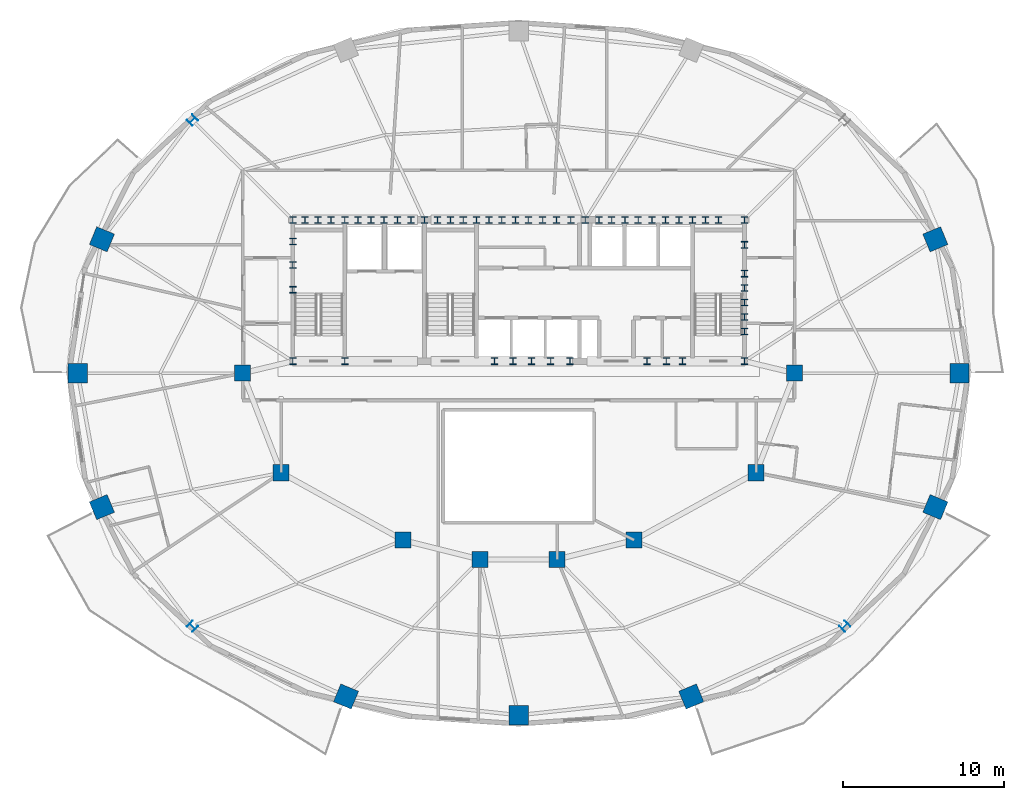
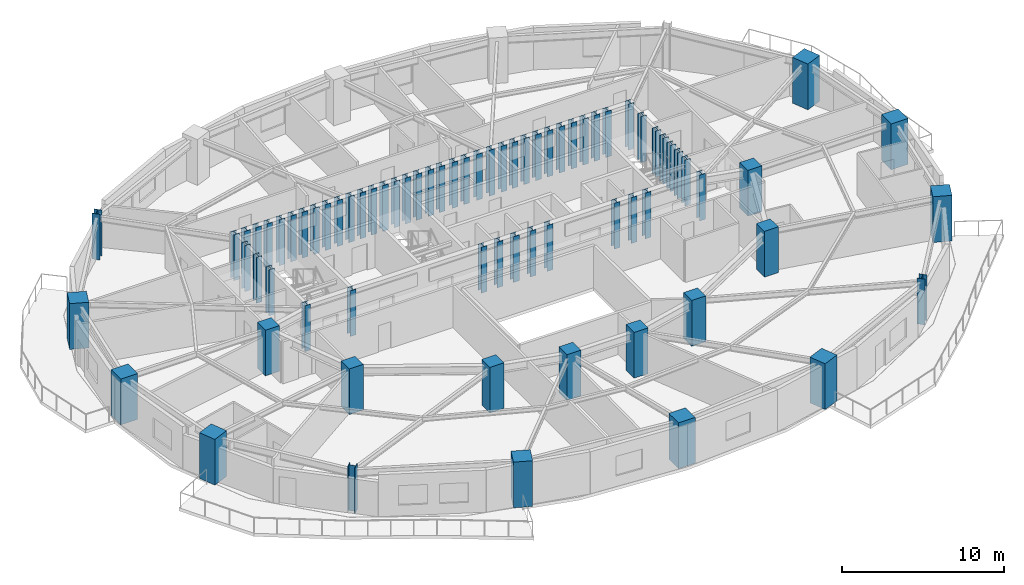
# One storey, part 1 of 10: 74 columns.
"""IFC4 building model written with IfcOpenShell, lengths in metres."""

from ifc_helpers import new_model, si_unit, direction, frame, origin, origin_2d, place, context, subcontext, project, spatial, rectangle, i_section, extrude, material, material_profile, profile_set, type_object, element, save


model = new_model("IFC4")

# Units and contexts
model_context = context("Model", 3, precision=1e-05, world=origin(), true_north=direction((0.0, 1.0)))
body_context = subcontext(model_context, "Body", "Model", "MODEL_VIEW")
ifc_project = project(units=[si_unit("LENGTHUNIT", "METRE"), si_unit("AREAUNIT", "SQUARE_METRE"), si_unit("VOLUMEUNIT", "CUBIC_METRE"), si_unit("PLANEANGLEUNIT", "RADIAN"), si_unit("MASSUNIT", "GRAM", prefix="KILO")], contexts=[model_context])

# Site, building, storey
site_placement = place(None, origin())
site = spatial("IfcSite", under=ifc_project, at=site_placement, CompositionType="ELEMENT")
building_placement = place(site_placement, origin())
building = spatial("IfcBuilding", under=site, at=building_placement, Name="Haldorwick Loom Tower", CompositionType="ELEMENT")
storey_placement = place(building_placement, frame((0.0, 0.0, 196.89990234375)))
storey = spatial("IfcBuildingStorey", under=building, at=storey_placement, Name="L53", CompositionType="ELEMENT", Elevation=196.89990234375)

# Columns
ifc_material_1 = material(Name="Concrete C60 (60 MPa)", Category="concrete")
ifc_material_profile_1 = material_profile(ifc_material_1, rectangle(XDim=1.0, YDim=1.0, at=origin_2d()), Name="RC1000X1000", Category="concrete")
ifc_profile_set_1 = profile_set([ifc_material_profile_1], Name="Concrete C60 (60 MPa)")
column_type_1 = type_object("IfcColumnType", Name="STR-COL-RC1000", PredefinedType="COLUMN", material=ifc_profile_set_1)
for number, where, z_axis, x_axis, name in (
    (1, (53.199951171875, 26.0, 0.0), (0.0, 0.0, 1.0), (1.0, 0.0, 0.0), "L53 Inner Column IC-01"),
    (2, (50.800048828125, 19.800048828125, 0.0), (0.0, 0.0, 1.0), (1.0, 0.0, 0.0), "L53 Inner Column IC-02"),
    (3, (43.199951171875, 15.60009765625, 0.0), (0.0, 0.0, 1.0), (1.0, 0.0, 0.0), "L53 Inner Column IC-03"),
    (4, (38.39990234375, 14.39990234375, 0.0), (0.0, 0.0, 1.0), (1.0, 0.0, 0.0), "L53 Inner Column IC-04"),
    (5, (33.60009765625, 14.39990234375, 0.0), (0.0, 0.0, 1.0), (1.0, 0.0, 0.0), "L53 Inner Column IC-05"),
    (6, (28.800048828125, 15.60009765625, 0.0), (0.0, 0.0, 1.0), (1.0, 0.0, 0.0), "L53 Inner Column IC-06"),
    (7, (21.199951171875, 19.800048828125, 0.0), (0.0, 0.0, 1.0), (1.0, 0.0, 0.0), "L53 Inner Column IC-07"),
    (8, (18.800048828125, 26.0, 0.0), (0.0, 0.0, 1.0), (1.0, 0.0, 0.0), "L53 Inner Column IC-08"),
):
    element("IfcColumn", number, at=place(storey_placement, frame(where, z_axis=z_axis, x_axis=x_axis)), inside=storey, type_object=column_type_1, Name=name, PredefinedType="COLUMN", context=body_context, shape_type="SweptSolid", body=[
        extrude(rectangle(XDim=1.0, YDim=1.0, at=origin_2d()), origin(), (0.0, 0.0, 1.0), 3.4501953125),
    ])
ifc_material_profile_2 = material_profile(ifc_material_1, rectangle(XDim=1.199951171875, YDim=1.199951171875, at=origin_2d()), Name="RC1200X1200", Category="concrete")
ifc_profile_set_2 = profile_set([ifc_material_profile_2], Name="Concrete C60 (60 MPa)")
column_type_2 = type_object("IfcColumnType", Name="STR-COL-RC1200", PredefinedType="COLUMN", material=ifc_profile_set_2)
for number, where, z_axis, x_axis, name in (
    (9, (63.46630859375, 26.0, 0.0), (0.0, 0.0, 1.0), (1.0, 0.0, 0.0), "L53 Perimeter Pier Column P01"),
    (10, (61.9609375, 34.342529296875, 0.0), (0.0, 0.0, 1.0), (0.923879532511, 0.382683432365, 0.0), "L53 Perimeter Pier Column P02"),
    (11, (10.0390625, 34.342529296875, 0.0), (0.0, 0.0, 1.0), (-0.923879532511, 0.382683432365, 0.0), "L53 Perimeter Pier Column P08"),
    (12, (8.53369140625, 26.0, 0.0), (0.0, 0.0, 1.0), (-1.0, 0.0, 0.0), "L53 Perimeter Pier Column P09"),
    (13, (10.0390625, 17.657470703125, 0.0), (0.0, 0.0, 1.0), (-0.923879532511, -0.382683432365, 0.0), "L53 Perimeter Pier Column P10"),
    (14, (25.24658203125, 5.859375, 0.0), (0.0, 0.0, 1.0), (-0.382683432365, -0.923879532511, 0.0), "L53 Perimeter Pier Column P12"),
    (15, (36.0, 4.695068359375, 0.0), (0.0, 0.0, 1.0), (0.0, -1.0, 0.0), "L53 Perimeter Pier Column P13"),
    (16, (46.75341796875, 5.859375, 0.0), (0.0, 0.0, 1.0), (0.382683432365, -0.923879532511, 0.0), "L53 Perimeter Pier Column P14"),
    (17, (61.9609375, 17.657470703125, 0.0), (0.0, 0.0, 1.0), (0.923879532511, -0.382683432365, 0.0), "L53 Perimeter Pier Column P16"),
):
    element("IfcColumn", number, at=place(storey_placement, frame(where, z_axis=z_axis, x_axis=x_axis)), inside=storey, type_object=column_type_2, Name=name, PredefinedType="COLUMN", context=body_context, shape_type="SweptSolid", body=[
        extrude(rectangle(XDim=1.199951171875, YDim=1.199951171875, at=origin_2d()), origin(), (0.0, 0.0, 1.0), 3.4501953125),
    ])
ifc_material_2 = material(Name="Steel CSA G40.21 350W", Category="steel")
ifc_material_profile_3 = material_profile(ifc_material_2, i_section(OverallWidth=0.406005859375, OverallDepth=0.416015625, WebThickness=0.024169921875, FlangeThickness=0.03857421875, at=origin_2d()), Name="W360X382", Category="steel")
ifc_profile_set_3 = profile_set([ifc_material_profile_3], Name="Steel CSA G40.21 350W")
column_type_3 = type_object("IfcColumnType", Name="STR-COL-W360X382", PredefinedType="COLUMN", material=ifc_profile_set_3)
for number, where, z_axis, x_axis, name in (
    (18, (21.929931640625, 35.550048828125, 0.0), (0.0, 0.0, 1.0), (1.0, 0.0, 0.0), "L53 Core Pilaster CB-01"),
    (19, (23.5, 35.550048828125, 0.0), (0.0, 0.0, 1.0), (1.0, 0.0, 0.0), "L53 Core Pilaster CB-02"),
    (20, (25.169921875, 35.550048828125, 0.0), (0.0, 0.0, 1.0), (1.0, 0.0, 0.0), "L53 Core Pilaster CB-03"),
    (21, (26.800048828125, 35.550048828125, 0.0), (0.0, 0.0, 1.0), (1.0, 0.0, 0.0), "L53 Core Pilaster CB-04"),
    (22, (28.449951171875, 35.550048828125, 0.0), (0.0, 0.0, 1.0), (1.0, 0.0, 0.0), "L53 Core Pilaster CB-05"),
    (23, (30.1298828125, 35.550048828125, 0.0), (0.0, 0.0, 1.0), (1.0, 0.0, 0.0), "L53 Core Pilaster CB-06"),
    (24, (31.75, 35.550048828125, 0.0), (0.0, 0.0, 1.0), (1.0, 0.0, 0.0), "L53 Core Pilaster CB-07"),
    (25, (33.3701171875, 35.550048828125, 0.0), (0.0, 0.0, 1.0), (1.0, 0.0, 0.0), "L53 Core Pilaster CB-08"),
    (26, (34.949951171875, 35.550048828125, 0.0), (0.0, 0.0, 1.0), (1.0, 0.0, 0.0), "L53 Core Pilaster CB-09"),
    (27, (36.60009765625, 35.550048828125, 0.0), (0.0, 0.0, 1.0), (1.0, 0.0, 0.0), "L53 Core Pilaster CB-10"),
    (28, (38.35009765625, 35.550048828125, 0.0), (0.0, 0.0, 1.0), (1.0, 0.0, 0.0), "L53 Core Pilaster CB-11"),
    (29, (40.14990234375, 35.550048828125, 0.0), (0.0, 0.0, 1.0), (1.0, 0.0, 0.0), "L53 Core Pilaster CB-12"),
    (30, (41.800048828125, 35.550048828125, 0.0), (0.0, 0.0, 1.0), (1.0, 0.0, 0.0), "L53 Core Pilaster CB-13"),
    (31, (43.449951171875, 35.550048828125, 0.0), (0.0, 0.0, 1.0), (1.0, 0.0, 0.0), "L53 Core Pilaster CB-14"),
    (32, (45.14990234375, 35.550048828125, 0.0), (0.0, 0.0, 1.0), (1.0, 0.0, 0.0), "L53 Core Pilaster CB-15"),
    (33, (46.830078125, 35.550048828125, 0.0), (0.0, 0.0, 1.0), (1.0, 0.0, 0.0), "L53 Core Pilaster CB-16"),
    (34, (48.449951171875, 35.550048828125, 0.0), (0.0, 0.0, 1.0), (1.0, 0.0, 0.0), "L53 Core Pilaster CB-17"),
    (35, (50.070068359375, 35.550048828125, 0.0), (0.0, 0.0, 1.0), (1.0, 0.0, 0.0), "L53 Core Pilaster CB-18"),
    (36, (21.929931640625, 26.75, 0.0), (0.0, 0.0, 1.0), (1.0, 0.0, 0.0), "L53 Core Pilaster CB-19"),
    (37, (25.169921875, 26.75, 0.0), (0.0, 0.0, 1.0), (1.0, 0.0, 0.0), "L53 Core Pilaster CB-20"),
    (38, (34.5, 26.75, 0.0), (0.0, 0.0, 1.0), (1.0, 0.0, 0.0), "L53 Core Pilaster CB-21"),
    (39, (36.800048828125, 26.75, 0.0), (0.0, 0.0, 1.0), (1.0, 0.0, 0.0), "L53 Core Pilaster CB-22"),
    (40, (39.199951171875, 26.75, 0.0), (0.0, 0.0, 1.0), (1.0, 0.0, 0.0), "L53 Core Pilaster CB-23"),
    (41, (45.199951171875, 26.75, 0.0), (0.0, 0.0, 1.0), (1.0, 0.0, 0.0), "L53 Core Pilaster CB-24"),
    (42, (50.070068359375, 26.75, 0.0), (0.0, 0.0, 1.0), (1.0, 0.0, 0.0), "L53 Core Pilaster CB-25"),
    (43, (21.929931640625, 31.199951171875, 0.0), (0.0, 0.0, 1.0), (1.0, 0.0, 0.0), "L53 Core Pilaster CB-26"),
    (44, (21.929931640625, 32.75, 0.0), (0.0, 0.0, 1.0), (1.0, 0.0, 0.0), "L53 Core Pilaster CB-27"),
    (45, (21.929931640625, 34.199951171875, 0.0), (0.0, 0.0, 1.0), (1.0, 0.0, 0.0), "L53 Core Pilaster CB-28"),
    (46, (50.070068359375, 28.60009765625, 0.0), (0.0, 0.0, 1.0), (1.0, 0.0, 0.0), "L53 Core Pilaster CB-29"),
    (47, (50.070068359375, 30.39990234375, 0.0), (0.0, 0.0, 1.0), (1.0, 0.0, 0.0), "L53 Core Pilaster CB-30"),
    (48, (50.070068359375, 32.199951171875, 0.0), (0.0, 0.0, 1.0), (1.0, 0.0, 0.0), "L53 Core Pilaster CB-31"),
    (49, (50.070068359375, 34.0, 0.0), (0.0, 0.0, 1.0), (1.0, 0.0, 0.0), "L53 Core Pilaster CB-32"),
    (50, (22.699951171875, 35.550048828125, 0.0), (0.0, 0.0, 1.0), (1.0, 0.0, 0.0), "L53 Core Pilaster CB-33"),
    (51, (27.6201171875, 35.550048828125, 0.0), (0.0, 0.0, 1.0), (1.0, 0.0, 0.0), "L53 Core Pilaster CB-34"),
    (52, (32.550048828125, 35.550048828125, 0.0), (0.0, 0.0, 1.0), (1.0, 0.0, 0.0), "L53 Core Pilaster CB-35"),
    (53, (37.5, 35.550048828125, 0.0), (0.0, 0.0, 1.0), (1.0, 0.0, 0.0), "L53 Core Pilaster CB-36"),
    (54, (42.6201171875, 35.550048828125, 0.0), (0.0, 0.0, 1.0), (1.0, 0.0, 0.0), "L53 Core Pilaster CB-37"),
    (55, (47.64990234375, 35.550048828125, 0.0), (0.0, 0.0, 1.0), (1.0, 0.0, 0.0), "L53 Core Pilaster CB-38"),
    (56, (24.300048828125, 35.550048828125, 0.0), (0.0, 0.0, 1.0), (1.0, 0.0, 0.0), "L53 Core Pilaster CB-39"),
    (57, (26.0, 35.550048828125, 0.0), (0.0, 0.0, 1.0), (1.0, 0.0, 0.0), "L53 Core Pilaster CB-40"),
    (58, (29.300048828125, 35.550048828125, 0.0), (0.0, 0.0, 1.0), (1.0, 0.0, 0.0), "L53 Core Pilaster CB-41"),
    (59, (30.949951171875, 35.550048828125, 0.0), (0.0, 0.0, 1.0), (1.0, 0.0, 0.0), "L53 Core Pilaster CB-42"),
    (60, (34.14990234375, 35.550048828125, 0.0), (0.0, 0.0, 1.0), (1.0, 0.0, 0.0), "L53 Core Pilaster CB-43"),
    (61, (35.800048828125, 35.550048828125, 0.0), (0.0, 0.0, 1.0), (1.0, 0.0, 0.0), "L53 Core Pilaster CB-44"),
    (62, (39.25, 35.550048828125, 0.0), (0.0, 0.0, 1.0), (1.0, 0.0, 0.0), "L53 Core Pilaster CB-45"),
    (63, (41.0, 35.550048828125, 0.0), (0.0, 0.0, 1.0), (1.0, 0.0, 0.0), "L53 Core Pilaster CB-46"),
    (64, (44.300048828125, 35.550048828125, 0.0), (0.0, 0.0, 1.0), (1.0, 0.0, 0.0), "L53 Core Pilaster CB-47"),
    (65, (46.0, 35.550048828125, 0.0), (0.0, 0.0, 1.0), (1.0, 0.0, 0.0), "L53 Core Pilaster CB-48"),
    (66, (50.070068359375, 29.5, 0.0), (0.0, 0.0, 1.0), (1.0, 0.0, 0.0), "L53 Core Pilaster CB-49"),
    (67, (50.070068359375, 31.300048828125, 0.0), (0.0, 0.0, 1.0), (1.0, 0.0, 0.0), "L53 Core Pilaster CB-50"),
    (68, (35.64990234375, 26.75, 0.0), (0.0, 0.0, 1.0), (1.0, 0.0, 0.0), "L53 Core Pilaster CB-51"),
    (69, (38.0, 26.75, 0.0), (0.0, 0.0, 1.0), (1.0, 0.0, 0.0), "L53 Core Pilaster CB-52"),
    (70, (44.0, 26.75, 0.0), (0.0, 0.0, 1.0), (1.0, 0.0, 0.0), "L53 Core Pilaster CB-53"),
    (71, (46.199951171875, 26.75, 0.0), (0.0, 0.0, 1.0), (1.0, 0.0, 0.0), "L53 Core Pilaster CB-54"),
):
    element("IfcColumn", number, at=place(storey_placement, frame(where, z_axis=z_axis, x_axis=x_axis)), inside=storey, type_object=column_type_3, Name=name, PredefinedType="COLUMN", context=body_context, shape_type="SweptSolid", body=[
        extrude(i_section(OverallWidth=0.406005859375, OverallDepth=0.416015625, WebThickness=0.024169921875, FlangeThickness=0.03857421875, at=origin_2d()), origin(), (0.0, 0.0, 1.0), 3.4501953125),
    ])
ifc_material_3 = material(Name="Steel CSA G40.21 350WT", Category="steel")
ifc_material_profile_4 = material_profile(ifc_material_3, i_section(OverallWidth=0.5, OverallDepth=0.5, WebThickness=0.02197265625, FlangeThickness=0.031982421875, at=origin_2d()), Name="WWF500X500", Category="steel")
ifc_profile_set_4 = profile_set([ifc_material_profile_4], Name="Steel CSA G40.21 350WT")
column_type_4 = type_object("IfcColumnType", Name="STR-COL-WWF500", PredefinedType="COLUMN", material=ifc_profile_set_4)
for number, where, z_axis, x_axis, name in (
    (72, (15.682373046875, 41.764892578125, 0.0), (0.0, 0.0, 1.0), (-0.707106781187, 0.707106781187, 0.0), "L53 Perimeter Pier Column P07"),
    (73, (15.682373046875, 10.235107421875, 0.0), (0.0, 0.0, 1.0), (-0.707106781187, -0.707106781187, 0.0), "L53 Perimeter Pier Column P11"),
    (74, (56.317626953125, 10.235107421875, 0.0), (0.0, 0.0, 1.0), (0.707106781187, -0.707106781187, 0.0), "L53 Perimeter Pier Column P15"),
):
    element("IfcColumn", number, at=place(storey_placement, frame(where, z_axis=z_axis, x_axis=x_axis)), inside=storey, type_object=column_type_4, Name=name, PredefinedType="COLUMN", context=body_context, shape_type="SweptSolid", body=[
        extrude(i_section(OverallWidth=0.5, OverallDepth=0.5, WebThickness=0.02197265625, FlangeThickness=0.031982421875, at=origin_2d()), origin(), (0.0, 0.0, 1.0), 3.4501953125),
    ])

save(model, "model.ifc")
